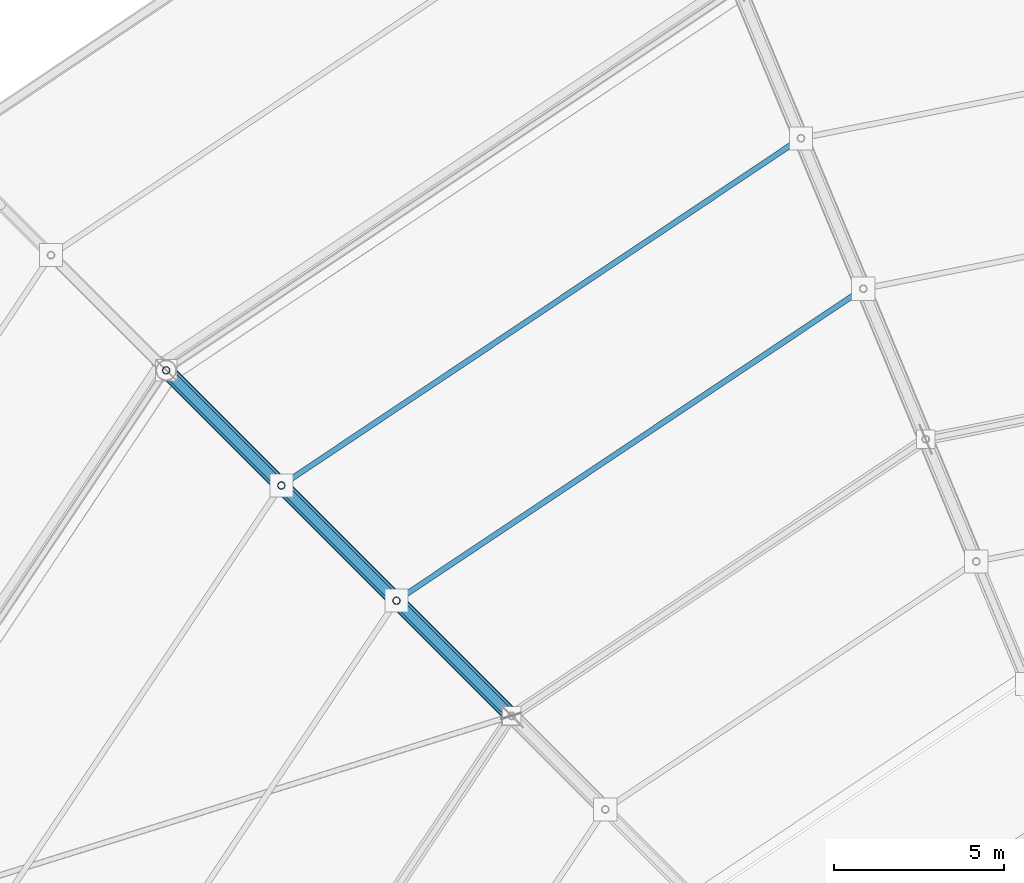
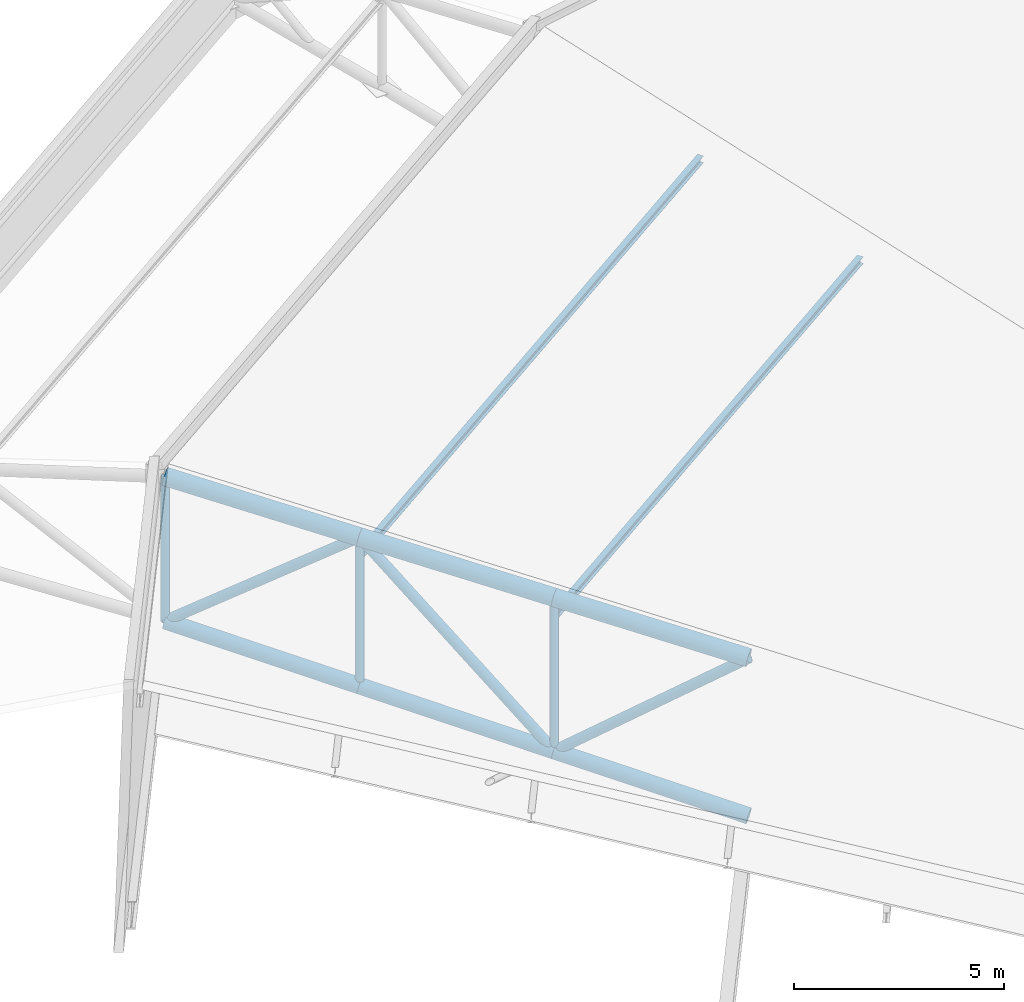
# One storey, part 50 of 146: 14 members.
"""IFC4 building model written with IfcOpenShell, lengths in metres."""

from ifc_helpers import new_model, si_unit, direction, frame, origin, origin_2d, place, context, subcontext, project, spatial, hollow_circle, i_section, extrude, material, material_profile, profile_set, type_object, element, save


model = new_model("IFC4")

# Units and contexts
model_context = context("Model", 3, precision=1e-05, world=origin(), true_north=direction((0.0, 1.0)))
body_context = subcontext(model_context, "Body", "Model", "MODEL_VIEW")
ifc_project = project(units=[si_unit("LENGTHUNIT", "METRE"), si_unit("AREAUNIT", "SQUARE_METRE"), si_unit("VOLUMEUNIT", "CUBIC_METRE"), si_unit("PLANEANGLEUNIT", "RADIAN"), si_unit("MASSUNIT", "GRAM", prefix="KILO")], contexts=[model_context])

# Site, building, storey
site_placement = place(None, origin())
site = spatial("IfcSite", under=ifc_project, at=site_placement, CompositionType="ELEMENT")
building_placement = place(site_placement, origin())
building = spatial("IfcBuilding", under=site, at=building_placement, Name="Candeia Ridge Stadium", CompositionType="ELEMENT")
storey_placement = place(building_placement, frame((0.0, 0.0, 31.800048828125)))
storey = spatial("IfcBuildingStorey", under=building, at=storey_placement, Name="RF", CompositionType="ELEMENT", Elevation=31.800048828125)

# Members
ifc_material = material(Name="Steel ASTM A572 Grade 50", Category="steel")
ifc_material_profile_1 = material_profile(ifc_material, i_section(OverallWidth=0.1650390625, OverallDepth=0.200927734375, WebThickness=0.006103515625, FlangeThickness=0.01025390625, FilletRadius=0.010009765625, at=origin_2d()), Name="W200x35.9", Category="steel")
ifc_profile_set_1 = profile_set([ifc_material_profile_1], Name="Steel ASTM A572 Grade 50")
member_type_1 = type_object("IfcMemberType", Name="Roof Purlin W200x35.9", PredefinedType="PURLIN", material=ifc_profile_set_1)
member_1_placement = place(storey_placement, frame((54.732666015625, 134.144775390625, 2.303955078125), z_axis=(-0.831465086253, -0.555577006671, 0.0), x_axis=(0.555577006671, -0.831465086253, 0.0)))
element("IfcMember", 1, at=member_1_placement, inside=storey, type_object=member_type_1, Name="Saddle roof steel purlin bay 09-3", PredefinedType="PURLIN", context=body_context, shape_type="SweptSolid", body=[
    extrude(i_section(OverallWidth=0.1650390625, OverallDepth=0.200927734375, WebThickness=0.006103515625, FlangeThickness=0.01025390625, FilletRadius=0.010009765625, at=origin_2d()), origin(), (0.0, 0.0, 1.0), 16.443603515625),
])
member_2_placement = place(storey_placement, frame((52.895751953125, 138.579345703125, 3.19189453125), z_axis=(-0.83147362437, -0.555564228489, 0.0), x_axis=(0.555564228489, -0.83147362437, 0.0)))
element("IfcMember", 2, at=member_2_placement, inside=storey, type_object=member_type_1, Name="Saddle roof steel purlin bay 09-4", PredefinedType="PURLIN", context=body_context, shape_type="SweptSolid", body=[
    extrude(i_section(OverallWidth=0.1650390625, OverallDepth=0.200927734375, WebThickness=0.006103515625, FlangeThickness=0.01025390625, FilletRadius=0.010009765625, at=origin_2d()), origin(), (0.0, 0.0, 1.0), 18.316650390625),
])
ifc_material_profile_2 = material_profile(ifc_material, hollow_circle(Radius=0.136474609375, WallThickness=0.010009765625, at=origin_2d()), Name="CHS273x10", Category="steel")
ifc_profile_set_2 = profile_set([ifc_material_profile_2], Name="Steel ASTM A572 Grade 50")
member_type_2 = type_object("IfcMemberType", Name="Roof Truss Heavy Web Brace CHS273x10", PredefinedType="BRACE", material=ifc_profile_set_2)
member_3_placement = place(storey_placement, frame((44.412841796875, 121.587158203125, 1.93603515625), z_axis=(-0.566892118006, 0.566892118006, -0.597717870809), x_axis=(-0.707106781187, -0.707106781187, 0.0)))
element("IfcMember", 3, at=member_3_placement, inside=storey, type_object=member_type_2, Name="Roof cantilever truss RT-10 diagonal web 4", PredefinedType="BRACE", context=body_context, shape_type="SweptSolid", body=[
    extrude(hollow_circle(Radius=0.136474609375, WallThickness=0.010009765625, at=origin_2d()), origin(), (0.0, 0.0, 1.0), 5.987548828125),
])
member_4_placement = place(storey_placement, frame((41.0185546875, 124.9814453125, -1.642822265625), z_axis=(-0.471976735173, 0.471976735173, 0.744631400701), x_axis=(-0.707106781187, -0.707106781187, 0.0)))
element("IfcMember", 4, at=member_4_placement, inside=storey, type_object=member_type_2, Name="Roof cantilever truss RT-10 diagonal web 5", PredefinedType="BRACE", context=body_context, shape_type="SweptSolid", body=[
    extrude(hollow_circle(Radius=0.136474609375, WallThickness=0.010009765625, at=origin_2d()), origin(), (0.0, 0.0, 1.0), 7.191162109375),
])
member_5_placement = place(storey_placement, frame((37.62451171875, 128.37548828125, 3.7119140625), z_axis=(-0.582001018536, 0.582001018536, -0.567934528662), x_axis=(-0.707106781187, -0.707106781187, 0.0)))
element("IfcMember", 5, at=member_5_placement, inside=storey, type_object=member_type_2, Name="Roof cantilever truss RT-10 diagonal web 6", PredefinedType="BRACE", context=body_context, shape_type="SweptSolid", body=[
    extrude(hollow_circle(Radius=0.136474609375, WallThickness=0.010009765625, at=origin_2d()), origin(), (0.0, 0.0, 1.0), 5.831787109375),
])
ifc_material_profile_3 = material_profile(ifc_material, hollow_circle(Radius=0.109619140625, WallThickness=0.010009765625, at=origin_2d()), Name="CHS219x10", Category="steel")
ifc_profile_set_3 = profile_set([ifc_material_profile_3], Name="Steel ASTM A572 Grade 50")
member_type_3 = type_object("IfcMemberType", Name="Roof Truss Inner Web Brace CHS219x10", PredefinedType="BRACE", material=ifc_profile_set_3)
member_6_placement = place(storey_placement, frame((41.0185546875, 124.9814453125, -1.642822265625), z_axis=(0.0, 0.0, 1.0), x_axis=(1.0, 0.0, 0.0)))
element("IfcMember", 6, at=member_6_placement, inside=storey, type_object=member_type_3, Name="Roof cantilever truss RT-10 vertical post 4", PredefinedType="BRACE", context=body_context, shape_type="SweptSolid", body=[
    extrude(hollow_circle(Radius=0.109619140625, WallThickness=0.010009765625, at=origin_2d()), origin(), (0.0, 0.0, 1.0), 4.466796875),
])
member_7_placement = place(storey_placement, frame((37.62451171875, 128.37548828125, -0.621337890625), z_axis=(0.0, 0.0, 1.0), x_axis=(1.0, 0.0, 0.0)))
element("IfcMember", 7, at=member_7_placement, inside=storey, type_object=member_type_3, Name="Roof cantilever truss RT-10 vertical post 5", PredefinedType="BRACE", context=body_context, shape_type="SweptSolid", body=[
    extrude(hollow_circle(Radius=0.109619140625, WallThickness=0.010009765625, at=origin_2d()), origin(), (0.0, 0.0, 1.0), 4.333251953125),
])
member_8_placement = place(storey_placement, frame((34.23046875, 131.76953125, 0.39990234375), z_axis=(0.0, 0.0, 1.0), x_axis=(1.0, 0.0, 0.0)))
element("IfcMember", 8, at=member_8_placement, inside=storey, type_object=member_type_3, Name="Roof cantilever truss RT-10 vertical post 6", PredefinedType="BRACE", context=body_context, shape_type="SweptSolid", body=[
    extrude(hollow_circle(Radius=0.109619140625, WallThickness=0.010009765625, at=origin_2d()), origin(), (0.0, 0.0, 1.0), 4.199951171875),
])
ifc_material_profile_4 = material_profile(ifc_material, hollow_circle(Radius=0.228515625, WallThickness=0.02001953125, at=origin_2d()), Name="CHS457x20", Category="steel")
ifc_profile_set_4 = profile_set([ifc_material_profile_4], Name="Steel ASTM A572 Grade 50")
member_type_4 = type_object("IfcMemberType", Name="Roof Truss Main Chord CHS457x20", PredefinedType="CHORD", material=ifc_profile_set_4)
member_9_placement = place(storey_placement, frame((44.412841796875, 121.587158203125, 1.93603515625), z_axis=(-0.695311168341, 0.695311168341, 0.18189216135), x_axis=(-0.707106781187, -0.707106781187, 0.0)))
element("IfcMember", 9, at=member_9_placement, inside=storey, type_object=member_type_4, Name="Roof cantilever truss RT-10 top chord 4", PredefinedType="CHORD", context=body_context, shape_type="SweptSolid", body=[
    extrude(hollow_circle(Radius=0.228515625, WallThickness=0.02001953125, at=origin_2d()), origin(), (0.0, 0.0, 1.0), 4.881591796875),
])
for number, where, z_axis, x_axis, name in (
    (10, (41.0185546875, 124.9814453125, 2.823974609375), (-0.695309513547, 0.695309513547, 0.181904812313), (-0.707106781187, -0.707106781187, 0.0), "Roof cantilever truss RT-10 top chord 5"),
    (11, (37.62451171875, 128.37548828125, 3.7119140625), (-0.695309513547, 0.695309513547, 0.181904812313), (-0.707106781187, -0.707106781187, 0.0), "Roof cantilever truss RT-10 top chord 6"),
):
    element("IfcMember", number, at=place(storey_placement, frame(where, z_axis=z_axis, x_axis=x_axis)), inside=storey, type_object=member_type_4, Name=name, PredefinedType="CHORD", context=body_context, shape_type="SweptSolid", body=[
        extrude(hollow_circle(Radius=0.228515625, WallThickness=0.02001953125, at=origin_2d()), origin(), (0.0, 0.0, 1.0), 4.88134765625),
    ])
ifc_material_profile_5 = material_profile(ifc_material, hollow_circle(Radius=0.202880859375, WallThickness=0.01611328125, at=origin_2d()), Name="CHS406x16", Category="steel")
ifc_profile_set_5 = profile_set([ifc_material_profile_5], Name="Steel ASTM A572 Grade 50")
member_type_5 = type_object("IfcMemberType", Name="Roof Truss Outer Chord CHS406x16", PredefinedType="CHORD", material=ifc_profile_set_5)
member_10_placement = place(storey_placement, frame((44.412841796875, 121.587158203125, -2.6640625), z_axis=(-0.69162794184, 0.69162794184, 0.208090317249), x_axis=(-0.707106781187, -0.707106781187, 0.0)))
element("IfcMember", 12, at=member_10_placement, inside=storey, type_object=member_type_5, Name="Roof cantilever truss RT-10 bottom chord 4", PredefinedType="CHORD", context=body_context, shape_type="SweptSolid", body=[
    extrude(hollow_circle(Radius=0.202880859375, WallThickness=0.01611328125, at=origin_2d()), origin(), (0.0, 0.0, 1.0), 4.90771484375),
])
member_11_placement = place(storey_placement, frame((41.0185546875, 124.9814453125, -1.642822265625), z_axis=(-0.691618626206, 0.691618626206, 0.2081522322), x_axis=(-0.707106781187, -0.707106781187, 0.0)))
element("IfcMember", 13, at=member_11_placement, inside=storey, type_object=member_type_5, Name="Roof cantilever truss RT-10 bottom chord 5", PredefinedType="CHORD", context=body_context, shape_type="SweptSolid", body=[
    extrude(hollow_circle(Radius=0.202880859375, WallThickness=0.01611328125, at=origin_2d()), origin(), (0.0, 0.0, 1.0), 4.907470703125),
])
member_12_placement = place(storey_placement, frame((37.62451171875, 128.37548828125, -0.621337890625), z_axis=(-0.691625787508, 0.691625787508, 0.208104637401), x_axis=(-0.707106781187, -0.707106781187, 0.0)))
element("IfcMember", 14, at=member_12_placement, inside=storey, type_object=member_type_5, Name="Roof cantilever truss RT-10 bottom chord 6", PredefinedType="CHORD", context=body_context, shape_type="SweptSolid", body=[
    extrude(hollow_circle(Radius=0.202880859375, WallThickness=0.01611328125, at=origin_2d()), origin(), (0.0, 0.0, 1.0), 4.9072265625),
])

save(model, "model.ifc")
